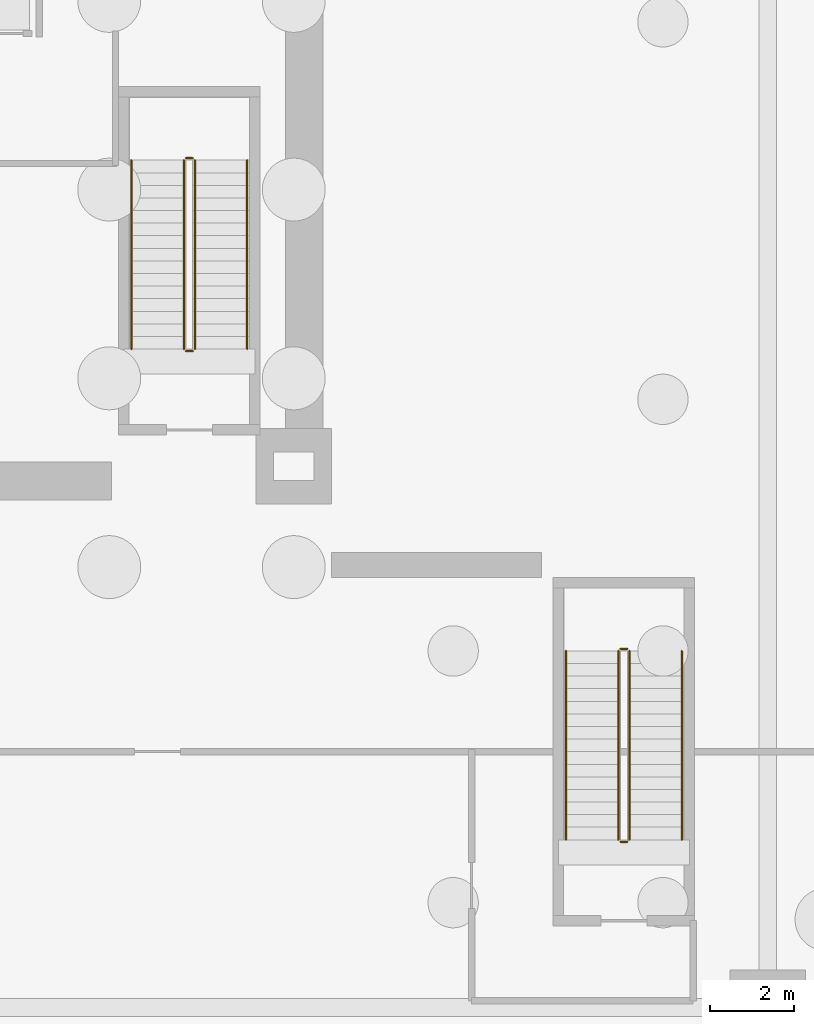
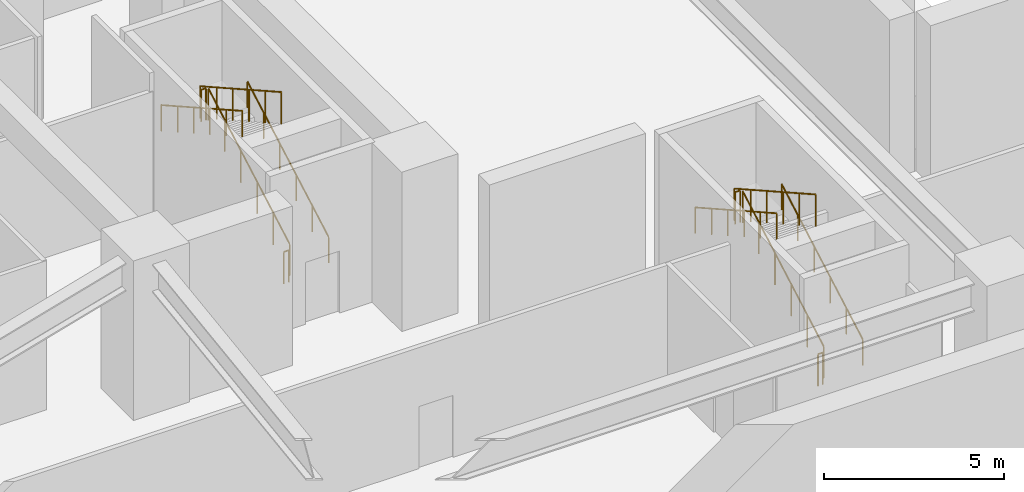
# One storey, part 8 of 9: 12 railings.
"""IFC4 building model written with IfcOpenShell, lengths in metres."""

from ifc_helpers import new_model, si_unit, direction, frame, origin, origin_2d, place, context, subcontext, project, spatial, circle, extrude, material, type_object, element, save


model = new_model("IFC4")

# Units and contexts
model_context = context("Model", 3, precision=1e-05, world=origin(), true_north=direction((0.0, 1.0)))
body_context = subcontext(model_context, "Body", "Model", "MODEL_VIEW")
ifc_project = project(units=[si_unit("LENGTHUNIT", "METRE"), si_unit("AREAUNIT", "SQUARE_METRE"), si_unit("VOLUMEUNIT", "CUBIC_METRE"), si_unit("PLANEANGLEUNIT", "RADIAN"), si_unit("MASSUNIT", "GRAM", prefix="KILO")], contexts=[model_context])

# Site, building, storey
site_placement = place(None, origin())
site = spatial("IfcSite", under=ifc_project, at=site_placement, CompositionType="ELEMENT")
building_placement = place(site_placement, origin())
building = spatial("IfcBuilding", under=site, at=building_placement, Name="Solvane Sanctuary Tower", CompositionType="ELEMENT")
storey_placement = place(building_placement, frame((0.0, 0.0, -10.800048828125)))
storey = spatial("IfcBuildingStorey", under=building, at=storey_placement, Name="B02", CompositionType="ELEMENT", Elevation=-10.800048828125)

# Railings
ifc_material = material(Name="Architectural Stainless Steel 316", Category="steel")
railing_type_1 = type_object("IfcRailingType", Name="Railing GR-BALC-1150", PredefinedType="BALUSTRADE", material=ifc_material)
railing_1_placement = place(storey_placement, frame((46.340087890625, 19.699951171875, 0.168701171875)))
element("IfcRailing", 1, at=railing_1_placement, inside=storey, type_object=railing_type_1, Name="B02 ST-2 stair guard 1", PredefinedType="BALUSTRADE", context=body_context, shape_type="SweptSolid", body=[
    extrude(circle(Radius=0.02392578125, at=origin_2d()), frame((0.0, 0.0, 1.076171875), z_axis=(0.0, 0.871575537125, 0.490261239633), x_axis=(-1.0, 0.0, 0.0)), (0.0, 0.0, 1.0), 5.1630859375),
    extrude(circle(Radius=0.02099609375, at=origin_2d()), origin(), (0.0, 0.0, 1.0), 1.052001953125),
    extrude(circle(Radius=0.02099609375, at=origin_2d()), frame((0.0, 0.89990234375, 0.50634765625)), (0.0, 0.0, 1.0), 1.052001953125),
    extrude(circle(Radius=0.02099609375, at=origin_2d()), frame((0.0, 1.800048828125, 1.012451171875)), (0.0, 0.0, 1.0), 1.052001953125),
    extrude(circle(Radius=0.02099609375, at=origin_2d()), frame((0.0, 2.699951171875, 1.518798828125)), (0.0, 0.0, 1.0), 1.052001953125),
    extrude(circle(Radius=0.02099609375, at=origin_2d()), frame((0.0, 3.60009765625, 2.02490234375)), (0.0, 0.0, 1.0), 1.052001953125),
    extrude(circle(Radius=0.02099609375, at=origin_2d()), frame((0.0, 4.5, 2.53125)), (0.0, 0.0, 1.0), 1.052001953125),
])
railing_2_placement = place(storey_placement, frame((46.2900390625, 24.25, 2.699951171875)))
element("IfcRailing", 2, at=railing_2_placement, inside=storey, type_object=railing_type_1, Name="B02 ST-2 stair guard 2", PredefinedType="BALUSTRADE", context=body_context, shape_type="SweptSolid", body=[
    extrude(circle(Radius=0.02392578125, at=origin_2d()), frame((0.0, 0.0, 1.076171875), z_axis=(-1.0, 0.0, 0.0), x_axis=(0.0, -1.0, 0.0)), (0.0, 0.0, 1.0), 0.16015625),
    extrude(circle(Radius=0.02099609375, at=origin_2d()), origin(), (0.0, 0.0, 1.0), 1.052001953125),
    extrude(circle(Radius=0.02099609375, at=origin_2d()), frame((-0.16015625, 0.0, 0.0)), (0.0, 0.0, 1.0), 1.052001953125),
])
railing_3_placement = place(storey_placement, frame((46.080078125, 24.199951171875, 2.868896484375)))
element("IfcRailing", 3, at=railing_3_placement, inside=storey, type_object=railing_type_1, Name="B02 ST-2 stair guard 3", PredefinedType="BALUSTRADE", context=body_context, shape_type="SweptSolid", body=[
    extrude(circle(Radius=0.02392578125, at=origin_2d()), frame((0.0, 0.0, 1.076171875), z_axis=(0.0, -0.871575537125, 0.490261239633), x_axis=(1.0, 0.0, 0.0)), (0.0, 0.0, 1.0), 5.1630859375),
    extrude(circle(Radius=0.02099609375, at=origin_2d()), origin(), (0.0, 0.0, 1.0), 1.052001953125),
    extrude(circle(Radius=0.02099609375, at=origin_2d()), frame((0.0, -0.89990234375, 0.50634765625)), (0.0, 0.0, 1.0), 1.052001953125),
    extrude(circle(Radius=0.02099609375, at=origin_2d()), frame((0.0, -1.800048828125, 1.012451171875)), (0.0, 0.0, 1.0), 1.052001953125),
    extrude(circle(Radius=0.02099609375, at=origin_2d()), frame((0.0, -2.699951171875, 1.518798828125)), (0.0, 0.0, 1.0), 1.052001953125),
    extrude(circle(Radius=0.02099609375, at=origin_2d()), frame((0.0, -3.60009765625, 2.02490234375)), (0.0, 0.0, 1.0), 1.052001953125),
    extrude(circle(Radius=0.02099609375, at=origin_2d()), frame((0.0, -4.5, 2.53125)), (0.0, 0.0, 1.0), 1.052001953125),
])
railing_4_placement = place(storey_placement, frame((46.2900390625, 19.64990234375, 0.0)))
element("IfcRailing", 4, at=railing_4_placement, inside=storey, type_object=railing_type_1, Name="B02 ST-2 stair guard 4", PredefinedType="BALUSTRADE", context=body_context, shape_type="SweptSolid", body=[
    extrude(circle(Radius=0.02392578125, at=origin_2d()), frame((0.0, 0.0, 1.076171875), z_axis=(-1.0, 0.0, 0.0), x_axis=(0.0, -1.0, 0.0)), (0.0, 0.0, 1.0), 0.16015625),
    extrude(circle(Radius=0.02099609375, at=origin_2d()), origin(), (0.0, 0.0, 1.0), 1.052001953125),
    extrude(circle(Radius=0.02099609375, at=origin_2d()), frame((-0.16015625, 0.0, 0.0)), (0.0, 0.0, 1.0), 1.052001953125),
])
railing_5_placement = place(storey_placement, frame((56.699951171875, 8.0, 0.168701171875)))
element("IfcRailing", 5, at=railing_5_placement, inside=storey, type_object=railing_type_1, Name="B02 ST-5 stair guard 1", PredefinedType="BALUSTRADE", context=body_context, shape_type="SweptSolid", body=[
    extrude(circle(Radius=0.02392578125, at=origin_2d()), frame((0.0, 0.0, 1.076171875), z_axis=(0.0, 0.871575537125, 0.490261239633), x_axis=(-1.0, 0.0, 0.0)), (0.0, 0.0, 1.0), 5.1630859375),
    extrude(circle(Radius=0.02099609375, at=origin_2d()), origin(), (0.0, 0.0, 1.0), 1.052001953125),
    extrude(circle(Radius=0.02099609375, at=origin_2d()), frame((0.0, 0.89990234375, 0.50634765625)), (0.0, 0.0, 1.0), 1.052001953125),
    extrude(circle(Radius=0.02099609375, at=origin_2d()), frame((0.0, 1.800048828125, 1.012451171875)), (0.0, 0.0, 1.0), 1.052001953125),
    extrude(circle(Radius=0.02099609375, at=origin_2d()), frame((0.0, 2.699951171875, 1.518798828125)), (0.0, 0.0, 1.0), 1.052001953125),
    extrude(circle(Radius=0.02099609375, at=origin_2d()), frame((0.0, 3.60009765625, 2.02490234375)), (0.0, 0.0, 1.0), 1.052001953125),
    extrude(circle(Radius=0.02099609375, at=origin_2d()), frame((0.0, 4.5, 2.53125)), (0.0, 0.0, 1.0), 1.052001953125),
])
railing_6_placement = place(storey_placement, frame((56.64990234375, 12.550048828125, 2.699951171875)))
element("IfcRailing", 6, at=railing_6_placement, inside=storey, type_object=railing_type_1, Name="B02 ST-5 stair guard 2", PredefinedType="BALUSTRADE", context=body_context, shape_type="SweptSolid", body=[
    extrude(circle(Radius=0.02392578125, at=origin_2d()), frame((0.0, 0.0, 1.076171875), z_axis=(-1.0, 0.0, 0.0), x_axis=(0.0, -1.0, 0.0)), (0.0, 0.0, 1.0), 0.159912109375),
    extrude(circle(Radius=0.02099609375, at=origin_2d()), origin(), (0.0, 0.0, 1.0), 1.052001953125),
    extrude(circle(Radius=0.02099609375, at=origin_2d()), frame((-0.159912109375, 0.0, 0.0)), (0.0, 0.0, 1.0), 1.052001953125),
])
railing_7_placement = place(storey_placement, frame((56.43994140625, 12.5, 2.868896484375)))
element("IfcRailing", 7, at=railing_7_placement, inside=storey, type_object=railing_type_1, Name="B02 ST-5 stair guard 3", PredefinedType="BALUSTRADE", context=body_context, shape_type="SweptSolid", body=[
    extrude(circle(Radius=0.02392578125, at=origin_2d()), frame((0.0, 0.0, 1.076171875), z_axis=(0.0, -0.871575537125, 0.490261239633), x_axis=(1.0, 0.0, 0.0)), (0.0, 0.0, 1.0), 5.1630859375),
    extrude(circle(Radius=0.02099609375, at=origin_2d()), origin(), (0.0, 0.0, 1.0), 1.052001953125),
    extrude(circle(Radius=0.02099609375, at=origin_2d()), frame((0.0, -0.89990234375, 0.50634765625)), (0.0, 0.0, 1.0), 1.052001953125),
    extrude(circle(Radius=0.02099609375, at=origin_2d()), frame((0.0, -1.800048828125, 1.012451171875)), (0.0, 0.0, 1.0), 1.052001953125),
    extrude(circle(Radius=0.02099609375, at=origin_2d()), frame((0.0, -2.699951171875, 1.518798828125)), (0.0, 0.0, 1.0), 1.052001953125),
    extrude(circle(Radius=0.02099609375, at=origin_2d()), frame((0.0, -3.60009765625, 2.02490234375)), (0.0, 0.0, 1.0), 1.052001953125),
    extrude(circle(Radius=0.02099609375, at=origin_2d()), frame((0.0, -4.5, 2.53125)), (0.0, 0.0, 1.0), 1.052001953125),
])
railing_8_placement = place(storey_placement, frame((56.64990234375, 7.949951171875, 0.0)))
element("IfcRailing", 8, at=railing_8_placement, inside=storey, type_object=railing_type_1, Name="B02 ST-5 stair guard 4", PredefinedType="BALUSTRADE", context=body_context, shape_type="SweptSolid", body=[
    extrude(circle(Radius=0.02392578125, at=origin_2d()), frame((0.0, 0.0, 1.076171875), z_axis=(-1.0, 0.0, 0.0), x_axis=(0.0, -1.0, 0.0)), (0.0, 0.0, 1.0), 0.159912109375),
    extrude(circle(Radius=0.02099609375, at=origin_2d()), origin(), (0.0, 0.0, 1.0), 1.052001953125),
    extrude(circle(Radius=0.02099609375, at=origin_2d()), frame((-0.159912109375, 0.0, 0.0)), (0.0, 0.0, 1.0), 1.052001953125),
])
railing_type_2 = type_object("IfcRailingType", Name="Railing HR-STAIR-920", PredefinedType="HANDRAIL", material=ifc_material)
railing_9_placement = place(storey_placement, frame((47.590087890625, 19.699951171875, 0.168701171875)))
element("IfcRailing", 9, at=railing_9_placement, inside=storey, type_object=railing_type_2, Name="B02 ST-2 stair handrail 1", PredefinedType="HANDRAIL", context=body_context, shape_type="SweptSolid", body=[
    extrude(circle(Radius=0.02392578125, at=origin_2d()), frame((0.0, 0.0, 0.8759765625), z_axis=(0.0, 0.871575537125, 0.490261239633), x_axis=(-1.0, 0.0, 0.0)), (0.0, 0.0, 1.0), 5.1630859375),
    extrude(circle(Radius=0.02099609375, at=origin_2d()), origin(), (0.0, 0.0, 1.0), 0.851806640625),
    extrude(circle(Radius=0.02099609375, at=origin_2d()), frame((0.0, 0.89990234375, 0.50634765625)), (0.0, 0.0, 1.0), 0.851806640625),
    extrude(circle(Radius=0.02099609375, at=origin_2d()), frame((0.0, 1.800048828125, 1.012451171875)), (0.0, 0.0, 1.0), 0.851806640625),
    extrude(circle(Radius=0.02099609375, at=origin_2d()), frame((0.0, 2.699951171875, 1.518798828125)), (0.0, 0.0, 1.0), 0.851806640625),
    extrude(circle(Radius=0.02099609375, at=origin_2d()), frame((0.0, 3.60009765625, 2.02490234375)), (0.0, 0.0, 1.0), 0.851806640625),
    extrude(circle(Radius=0.02099609375, at=origin_2d()), frame((0.0, 4.5, 2.53125)), (0.0, 0.0, 1.0), 0.851806640625),
])
railing_10_placement = place(storey_placement, frame((44.830078125, 24.199951171875, 2.868896484375)))
element("IfcRailing", 10, at=railing_10_placement, inside=storey, type_object=railing_type_2, Name="B02 ST-2 stair handrail 2", PredefinedType="HANDRAIL", context=body_context, shape_type="SweptSolid", body=[
    extrude(circle(Radius=0.02392578125, at=origin_2d()), frame((0.0, 0.0, 0.8759765625), z_axis=(0.0, -0.871575537125, 0.490261239633), x_axis=(1.0, 0.0, 0.0)), (0.0, 0.0, 1.0), 5.1630859375),
    extrude(circle(Radius=0.02099609375, at=origin_2d()), origin(), (0.0, 0.0, 1.0), 0.851806640625),
    extrude(circle(Radius=0.02099609375, at=origin_2d()), frame((0.0, -0.89990234375, 0.50634765625)), (0.0, 0.0, 1.0), 0.851806640625),
    extrude(circle(Radius=0.02099609375, at=origin_2d()), frame((0.0, -1.800048828125, 1.012451171875)), (0.0, 0.0, 1.0), 0.851806640625),
    extrude(circle(Radius=0.02099609375, at=origin_2d()), frame((0.0, -2.699951171875, 1.518798828125)), (0.0, 0.0, 1.0), 0.851806640625),
    extrude(circle(Radius=0.02099609375, at=origin_2d()), frame((0.0, -3.60009765625, 2.02490234375)), (0.0, 0.0, 1.0), 0.851806640625),
    extrude(circle(Radius=0.02099609375, at=origin_2d()), frame((0.0, -4.5, 2.53125)), (0.0, 0.0, 1.0), 0.851806640625),
])
railing_11_placement = place(storey_placement, frame((57.949951171875, 8.0, 0.168701171875)))
element("IfcRailing", 11, at=railing_11_placement, inside=storey, type_object=railing_type_2, Name="B02 ST-5 stair handrail 1", PredefinedType="HANDRAIL", context=body_context, shape_type="SweptSolid", body=[
    extrude(circle(Radius=0.02392578125, at=origin_2d()), frame((0.0, 0.0, 0.8759765625), z_axis=(0.0, 0.871575537125, 0.490261239633), x_axis=(-1.0, 0.0, 0.0)), (0.0, 0.0, 1.0), 5.1630859375),
    extrude(circle(Radius=0.02099609375, at=origin_2d()), origin(), (0.0, 0.0, 1.0), 0.851806640625),
    extrude(circle(Radius=0.02099609375, at=origin_2d()), frame((0.0, 0.89990234375, 0.50634765625)), (0.0, 0.0, 1.0), 0.851806640625),
    extrude(circle(Radius=0.02099609375, at=origin_2d()), frame((0.0, 1.800048828125, 1.012451171875)), (0.0, 0.0, 1.0), 0.851806640625),
    extrude(circle(Radius=0.02099609375, at=origin_2d()), frame((0.0, 2.699951171875, 1.518798828125)), (0.0, 0.0, 1.0), 0.851806640625),
    extrude(circle(Radius=0.02099609375, at=origin_2d()), frame((0.0, 3.60009765625, 2.02490234375)), (0.0, 0.0, 1.0), 0.851806640625),
    extrude(circle(Radius=0.02099609375, at=origin_2d()), frame((0.0, 4.5, 2.53125)), (0.0, 0.0, 1.0), 0.851806640625),
])
railing_12_placement = place(storey_placement, frame((55.18994140625, 12.5, 2.868896484375)))
element("IfcRailing", 12, at=railing_12_placement, inside=storey, type_object=railing_type_2, Name="B02 ST-5 stair handrail 2", PredefinedType="HANDRAIL", context=body_context, shape_type="SweptSolid", body=[
    extrude(circle(Radius=0.02392578125, at=origin_2d()), frame((0.0, 0.0, 0.8759765625), z_axis=(0.0, -0.871575537125, 0.490261239633), x_axis=(1.0, 0.0, 0.0)), (0.0, 0.0, 1.0), 5.1630859375),
    extrude(circle(Radius=0.02099609375, at=origin_2d()), origin(), (0.0, 0.0, 1.0), 0.851806640625),
    extrude(circle(Radius=0.02099609375, at=origin_2d()), frame((0.0, -0.89990234375, 0.50634765625)), (0.0, 0.0, 1.0), 0.851806640625),
    extrude(circle(Radius=0.02099609375, at=origin_2d()), frame((0.0, -1.800048828125, 1.012451171875)), (0.0, 0.0, 1.0), 0.851806640625),
    extrude(circle(Radius=0.02099609375, at=origin_2d()), frame((0.0, -2.699951171875, 1.518798828125)), (0.0, 0.0, 1.0), 0.851806640625),
    extrude(circle(Radius=0.02099609375, at=origin_2d()), frame((0.0, -3.60009765625, 2.02490234375)), (0.0, 0.0, 1.0), 0.851806640625),
    extrude(circle(Radius=0.02099609375, at=origin_2d()), frame((0.0, -4.5, 2.53125)), (0.0, 0.0, 1.0), 0.851806640625),
])

save(model, "model.ifc")
